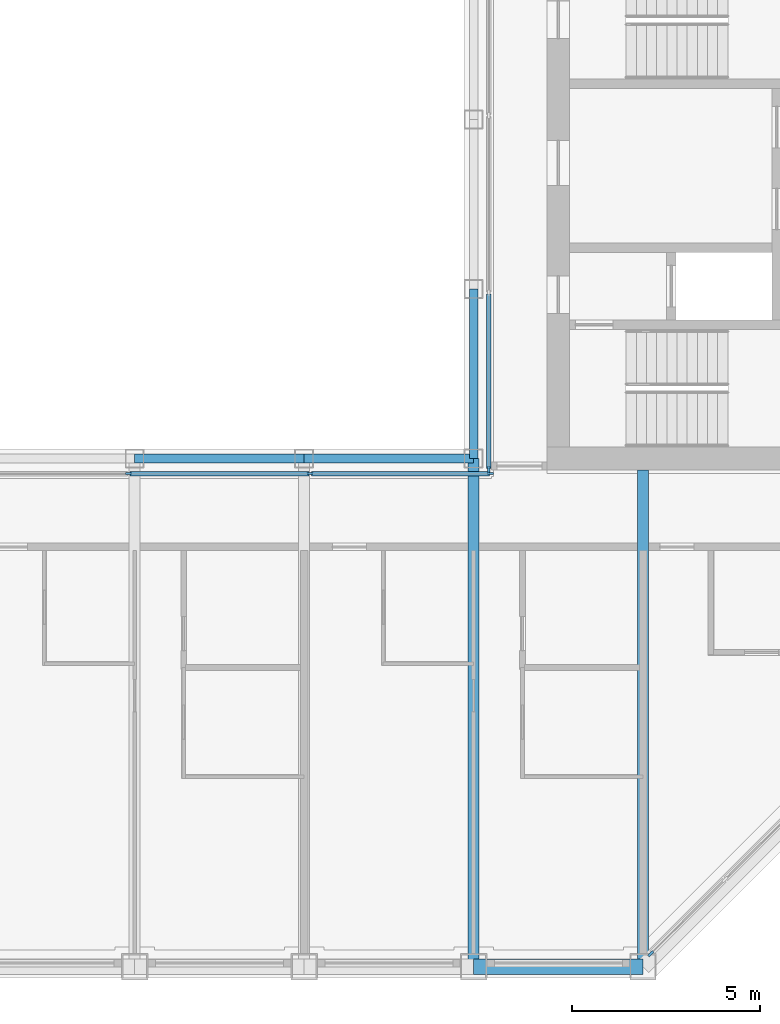
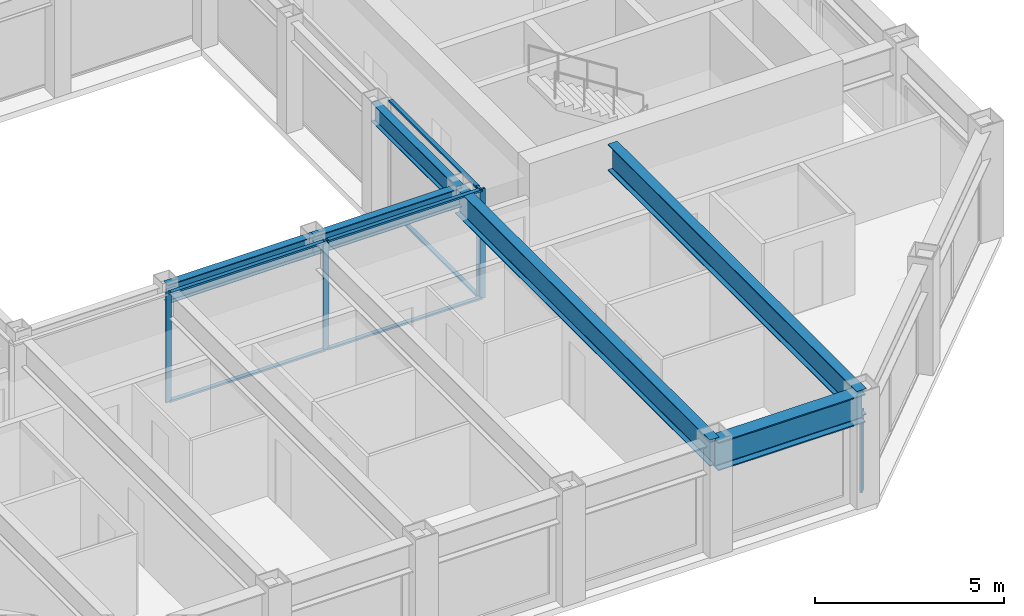
# One storey, part 3 of 18: 11 members, 6 beams, 3 elements without a shape of their own.
"""IFC4 building model written with IfcOpenShell, lengths in metres."""

from ifc_helpers import new_model, si_unit, direction, frame, origin, origin_2d, place, context, subcontext, project, spatial, rectangle, i_section, extrude, material, material_profile, profile_set, type_object, element, aggregate, save


model = new_model("IFC4")

# Units and contexts
model_context = context("Model", 3, precision=1e-05, world=origin(), true_north=direction((0.0, 1.0)))
body_context = subcontext(model_context, "Body", "Model", "MODEL_VIEW")
ifc_project = project(units=[si_unit("LENGTHUNIT", "METRE"), si_unit("AREAUNIT", "SQUARE_METRE"), si_unit("VOLUMEUNIT", "CUBIC_METRE"), si_unit("PLANEANGLEUNIT", "RADIAN"), si_unit("MASSUNIT", "GRAM", prefix="KILO")], contexts=[model_context])

# Site, building, storey
site_placement = place(None, origin())
site = spatial("IfcSite", under=ifc_project, at=site_placement, CompositionType="ELEMENT")
building_placement = place(site_placement, origin())
building = spatial("IfcBuilding", under=site, at=building_placement, Name="Msasa Ring Tower", CompositionType="ELEMENT")
storey_placement = place(building_placement, frame((0.0, 0.0, 245.800048828125)))
storey = spatial("IfcBuildingStorey", under=building, at=storey_placement, Name="L64", CompositionType="ELEMENT", Elevation=245.800048828125)

# Curtain wall, member
ifc_material_1 = material(Name="Aluminium curtain wall with clear glass", Category="aluminium")
curtain_wall_type_1 = type_object("IfcCurtainWallType", Name="CW-C CHAMFER CORNER CURTAIN WALL", PredefinedType="NOTDEFINED", material=ifc_material_1)
curtain_wall_1_placement = place(storey_placement, origin())
curtain_wall_1 = element("IfcCurtainWall", 1, at=curtain_wall_1_placement, inside=storey, type_object=curtain_wall_type_1, Name="Chamfer corner curtain wall SE L64", PredefinedType="NOTDEFINED")
ifc_material_2 = material(Name="Aluminium mullion", Category="aluminium")
ifc_material_profile_1 = material_profile(ifc_material_2, rectangle(XDim=0.06494140625, YDim=0.179931640625, at=origin_2d()), Name="AL 65x180")
ifc_profile_set_1 = profile_set([ifc_material_profile_1], Name="Aluminium mullion")
member_type_1 = type_object("IfcMemberType", Name="CW-C MULLION 65x180", PredefinedType="MULLION", material=ifc_profile_set_1)
member_1_placement = place(storey_placement, frame((11.453369140625, -19.9052734375, 0.0), z_axis=(0.0, 0.0, 1.0), x_axis=(-0.707106781187, 0.707106781187, 0.0)))
member_1 = element("IfcMember", 2, at=member_1_placement, type_object=member_type_1, Name="CW-C mullion 1", PredefinedType="MULLION", context=body_context, shape_type="SweptSolid", body=[
    extrude(rectangle(XDim=0.06494140625, YDim=0.179931640625, at=origin_2d()), origin(), (0.0, 0.0, 1.0), 2.62890625),
])
aggregate(curtain_wall_1, [member_1])

# Curtain wall, members
ifc_material_3 = material(Name="Aluminium curtain wall with clear glass", Category="aluminium")
curtain_wall_type_2 = type_object("IfcCurtainWallType", Name="CW-W LIGHT WELL CURTAIN WALL", PredefinedType="NOTDEFINED", material=ifc_material_3)
curtain_wall_2_placement = place(storey_placement, origin())
curtain_wall_2 = element("IfcCurtainWall", 3, at=curtain_wall_2_placement, inside=storey, type_object=curtain_wall_type_2, Name="Light well curtain wall S L64", PredefinedType="NOTDEFINED")
ifc_material_4 = material(Name="Aluminium mullion", Category="aluminium")
ifc_material_profile_2 = material_profile(ifc_material_4, rectangle(XDim=0.06005859375, YDim=0.159912109375, at=origin_2d()), Name="AL 60x160")
ifc_profile_set_2 = profile_set([ifc_material_profile_2], Name="Aluminium mullion")
member_type_2 = type_object("IfcMemberType", Name="CW-W MULLION 60x160", PredefinedType="MULLION", material=ifc_profile_set_2)
member_2_placement = place(storey_placement, frame((-2.409912109375, -7.14990234375, 0.0), z_axis=(0.0, 0.0, 1.0), x_axis=(0.0, 1.0, 0.0)))
member_2 = element("IfcMember", 4, at=member_2_placement, type_object=member_type_2, Name="CW-W mullion 2", PredefinedType="MULLION", context=body_context, shape_type="SweptSolid", body=[
    extrude(rectangle(XDim=0.06005859375, YDim=0.159912109375, at=origin_2d()), origin(), (0.0, 0.0, 1.0), 3.550048828125),
])
member_3_placement = place(storey_placement, frame((2.409912109375, -7.14990234375, 0.0), z_axis=(0.0, 0.0, 1.0), x_axis=(0.0, 1.0, 0.0)))
member_3 = element("IfcMember", 5, at=member_3_placement, type_object=member_type_2, Name="CW-W mullion 3", PredefinedType="MULLION", context=body_context, shape_type="SweptSolid", body=[
    extrude(rectangle(XDim=0.06005859375, YDim=0.159912109375, at=origin_2d()), origin(), (0.0, 0.0, 1.0), 3.550048828125),
])
member_4_placement = place(storey_placement, frame((7.199951171875, -7.14990234375, 0.0), z_axis=(0.0, 0.0, 1.0), x_axis=(0.0, 1.0, 0.0)))
member_4 = element("IfcMember", 6, at=member_4_placement, type_object=member_type_2, Name="CW-W mullion 4", PredefinedType="MULLION", context=body_context, shape_type="SweptSolid", body=[
    extrude(rectangle(XDim=0.06005859375, YDim=0.159912109375, at=origin_2d()), origin(), (0.0, 0.0, 1.0), 3.550048828125),
])

# Curtain wall, member
curtain_wall_3_placement = place(storey_placement, origin())
curtain_wall_3 = element("IfcCurtainWall", 7, at=curtain_wall_3_placement, inside=storey, type_object=curtain_wall_type_2, Name="Light well curtain wall E L64", PredefinedType="NOTDEFINED")
member_5_placement = place(storey_placement, frame((7.14990234375, -7.0400390625, 0.0), z_axis=(0.0, 0.0, 1.0), x_axis=(-1.0, 0.0, 0.0)))
member_5 = element("IfcMember", 8, at=member_5_placement, type_object=member_type_2, Name="CW-W mullion 1", PredefinedType="MULLION", context=body_context, shape_type="SweptSolid", body=[
    extrude(rectangle(XDim=0.06005859375, YDim=0.159912109375, at=origin_2d()), origin(), (0.0, 0.0, 1.0), 3.550048828125),
])

# Member
ifc_material_5 = material(Name="Aluminium transom", Category="aluminium")
ifc_material_profile_3 = material_profile(ifc_material_5, rectangle(XDim=0.1201171875, YDim=0.06005859375, at=origin_2d()), Name="AL 60x120")
ifc_profile_set_3 = profile_set([ifc_material_profile_3], Name="Aluminium transom")
member_type_3 = type_object("IfcMemberType", Name="CW-W TRANSOM 60x120", PredefinedType="USERDEFINED", material=ifc_profile_set_3)
member_6_placement = place(storey_placement, frame((-2.3798828125, -7.14990234375, 0.030029296875), z_axis=(1.0, 0.0, 0.0), x_axis=(0.0, 1.0, 0.0)))
member_6 = element("IfcMember", 9, at=member_6_placement, type_object=member_type_3, Name="CW-W transom 2.1", ObjectType="TRANSOM", PredefinedType="USERDEFINED", context=body_context, shape_type="SweptSolid", body=[
    extrude(rectangle(XDim=0.1201171875, YDim=0.06005859375, at=origin_2d()), origin(), (0.0, 0.0, 1.0), 4.759765625),
])

member_7_placement = place(storey_placement, frame((-2.3798828125, -7.14990234375, 3.52001953125), z_axis=(1.0, 0.0, 0.0), x_axis=(0.0, 1.0, 0.0)))
member_7 = element("IfcMember", 10, at=member_7_placement, type_object=member_type_3, Name="CW-W transom 2.2", ObjectType="TRANSOM", PredefinedType="USERDEFINED", context=body_context, shape_type="SweptSolid", body=[
    extrude(rectangle(XDim=0.1201171875, YDim=0.06005859375, at=origin_2d()), origin(), (0.0, 0.0, 1.0), 4.759765625),
])

member_8_placement = place(storey_placement, frame((2.43994140625, -7.14990234375, 0.030029296875), z_axis=(1.0, 0.0, 0.0), x_axis=(0.0, 1.0, 0.0)))
member_8 = element("IfcMember", 11, at=member_8_placement, type_object=member_type_3, Name="CW-W transom 3.1", ObjectType="TRANSOM", PredefinedType="USERDEFINED", context=body_context, shape_type="SweptSolid", body=[
    extrude(rectangle(XDim=0.1201171875, YDim=0.06005859375, at=origin_2d()), origin(), (0.0, 0.0, 1.0), 4.72998046875),
])

member_9_placement = place(storey_placement, frame((2.43994140625, -7.14990234375, 3.52001953125), z_axis=(1.0, 0.0, 0.0), x_axis=(0.0, 1.0, 0.0)))
member_9 = element("IfcMember", 12, at=member_9_placement, type_object=member_type_3, Name="CW-W transom 3.2", ObjectType="TRANSOM", PredefinedType="USERDEFINED", context=body_context, shape_type="SweptSolid", body=[
    extrude(rectangle(XDim=0.1201171875, YDim=0.06005859375, at=origin_2d()), origin(), (0.0, 0.0, 1.0), 4.72998046875),
])

aggregate(curtain_wall_2, [member_2, member_3, member_4, member_6, member_7, member_8, member_9])

member_10_placement = place(storey_placement, frame((7.14990234375, -7.010009765625, 0.030029296875), z_axis=(0.0, 1.0, 0.0), x_axis=(-1.0, 0.0, 0.0)))
member_10 = element("IfcMember", 13, at=member_10_placement, type_object=member_type_3, Name="CW-W transom 1.1", ObjectType="TRANSOM", PredefinedType="USERDEFINED", context=body_context, shape_type="SweptSolid", body=[
    extrude(rectangle(XDim=0.1201171875, YDim=0.06005859375, at=origin_2d()), origin(), (0.0, 0.0, 1.0), 4.623291015625),
])

member_11_placement = place(storey_placement, frame((7.14990234375, -7.010009765625, 3.52001953125), z_axis=(0.0, 1.0, 0.0), x_axis=(-1.0, 0.0, 0.0)))
member_11 = element("IfcMember", 14, at=member_11_placement, type_object=member_type_3, Name="CW-W transom 1.2", ObjectType="TRANSOM", PredefinedType="USERDEFINED", context=body_context, shape_type="SweptSolid", body=[
    extrude(rectangle(XDim=0.1201171875, YDim=0.06005859375, at=origin_2d()), origin(), (0.0, 0.0, 1.0), 4.623291015625),
])

aggregate(curtain_wall_3, [member_5, member_10, member_11])

# Beams
ifc_material_6 = material(Name="Steel S355", Category="steel")
ifc_material_profile_4 = material_profile(ifc_material_6, i_section(OverallWidth=0.293701171875, OverallDepth=0.850830078125, WebThickness=0.01611328125, FlangeThickness=0.02685546875, FilletRadius=0.017822265625, at=origin_2d()), Name="UB 838x292x226")
ifc_profile_set_4 = profile_set([ifc_material_profile_4], Name="Steel S355")
beam_type_1 = type_object("IfcBeamType", Name="FB5 UB 838x292x226", PredefinedType="BEAM", material=ifc_profile_set_4)
beam_1_placement = place(storey_placement, frame((6.75, -20.25, 3.12451171875), z_axis=(0.0, 1.0, 0.0), x_axis=(-1.0, 0.0, 0.0)))
element("IfcBeam", 15, at=beam_1_placement, inside=storey, type_object=beam_type_1, Name="Floor beam S+6.75 under L65", PredefinedType="BEAM", context=body_context, shape_type="SweptSolid", body=[
    extrude(i_section(OverallWidth=0.293701171875, OverallDepth=0.850830078125, WebThickness=0.01611328125, FlangeThickness=0.02685546875, FilletRadius=0.017822265625, at=origin_2d()), origin(), (0.0, 0.0, 1.0), 13.5),
])
beam_2_placement = place(storey_placement, frame((11.25, -20.25, 3.12451171875), z_axis=(0.0, 1.0, 0.0), x_axis=(-1.0, 0.0, 0.0)))
element("IfcBeam", 16, at=beam_2_placement, inside=storey, type_object=beam_type_1, Name="Floor beam S+11.25 under L65", PredefinedType="BEAM", context=body_context, shape_type="SweptSolid", body=[
    extrude(i_section(OverallWidth=0.293701171875, OverallDepth=0.850830078125, WebThickness=0.01611328125, FlangeThickness=0.02685546875, FilletRadius=0.017822265625, at=origin_2d()), origin(), (0.0, 0.0, 1.0), 13.199951171875),
])
ifc_material_7 = material(Name="Steel S355", Category="steel")
ifc_material_profile_5 = material_profile(ifc_material_7, i_section(OverallWidth=0.230224609375, OverallDepth=0.6171875, WebThickness=0.01318359375, FlangeThickness=0.022216796875, FilletRadius=0.0126953125, at=origin_2d()), Name="UB 610x229x140")
ifc_profile_set_5 = profile_set([ifc_material_profile_5], Name="Steel S355")
beam_type_2 = type_object("IfcBeamType", Name="RB1 UB 610x229x140", PredefinedType="BEAM", material=ifc_profile_set_5)
for number, where, z_axis, x_axis, name in (
    (17, (-2.25, -6.75, 3.241455078125), (1.0, 0.0, 0.0), (0.0, 1.0, 0.0), "Inner ring beam IR-2.25-6.75 under L65"),
    (18, (2.25, -6.75, 3.241455078125), (1.0, 0.0, 0.0), (0.0, 1.0, 0.0), "Inner ring beam IR+2.25-6.75 under L65"),
    (19, (6.75, -6.75, 3.241455078125), (0.0, 1.0, 0.0), (-1.0, 0.0, 0.0), "Inner ring beam IR+6.75-6.75 under L65"),
):
    element("IfcBeam", number, at=place(storey_placement, frame(where, z_axis=z_axis, x_axis=x_axis)), inside=storey, type_object=beam_type_2, Name=name, PredefinedType="BEAM", context=body_context, shape_type="SweptSolid", body=[
        extrude(i_section(OverallWidth=0.230224609375, OverallDepth=0.6171875, WebThickness=0.01318359375, FlangeThickness=0.022216796875, FilletRadius=0.0126953125, at=origin_2d()), origin(), (0.0, 0.0, 1.0), 4.5),
    ])
ifc_material_8 = material(Name="Steel S355", Category="steel")
ifc_material_profile_6 = material_profile(ifc_material_8, i_section(OverallWidth=0.42041015625, OverallDepth=0.9208984375, WebThickness=0.021484375, FlangeThickness=0.03662109375, FilletRadius=0.024169921875, at=origin_2d()), Name="UB 914x419x388")
ifc_profile_set_6 = profile_set([ifc_material_profile_6], Name="Steel S355")
beam_type_3 = type_object("IfcBeamType", Name="SB1 UB 914x419x388", PredefinedType="SPANDREL", material=ifc_profile_set_6)
beam_3_placement = place(storey_placement, frame((6.75, -20.25, 3.08935546875), z_axis=(1.0, 0.0, 0.0), x_axis=(0.0, 1.0, 0.0)))
element("IfcBeam", 20, at=beam_3_placement, inside=storey, type_object=beam_type_3, Name="Spandrel S+6.75 to S+11.25 under L65", PredefinedType="SPANDREL", context=body_context, shape_type="SweptSolid", body=[
    extrude(i_section(OverallWidth=0.42041015625, OverallDepth=0.9208984375, WebThickness=0.021484375, FlangeThickness=0.03662109375, FilletRadius=0.024169921875, at=origin_2d()), origin(), (0.0, 0.0, 1.0), 4.5),
])

save(model, "model.ifc")
